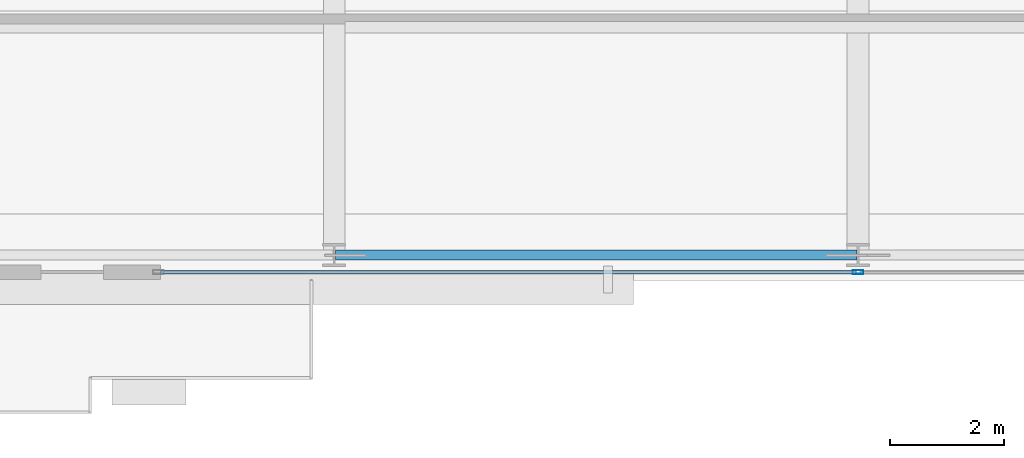
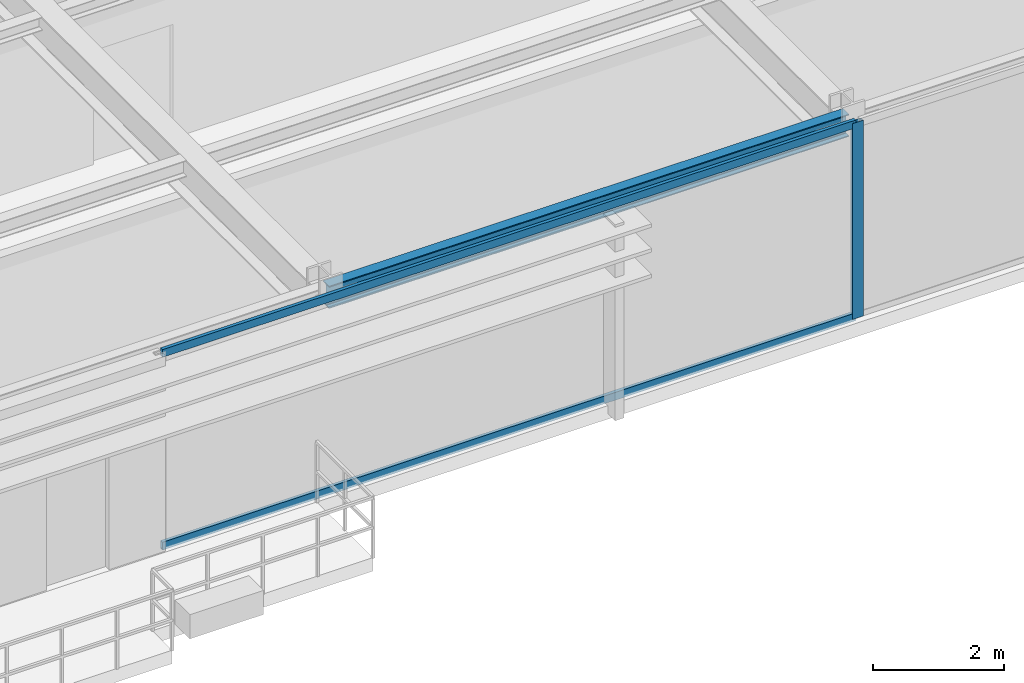
# One storey, part 6 of 31: 3 members, 1 beam, 1 element without a shape of its own.
"""IFC4 building model written with IfcOpenShell, lengths in metres."""

from ifc_helpers import new_model, si_unit, direction, frame, origin, origin_2d, place, context, subcontext, project, spatial, hollow_rectangle, i_section, extrude, source, transform, mapped, material, layer, layer_set, material_profile, profile_set, type_object, type_shapes, element, aggregate, save


model = new_model("IFC4")

# Units and contexts
model_context = context("Model", 3, precision=1e-05, world=origin(), true_north=direction((0.0, 1.0)))
body_context = subcontext(model_context, "Body", "Model", "MODEL_VIEW")
ifc_project = project(units=[si_unit("LENGTHUNIT", "METRE"), si_unit("AREAUNIT", "SQUARE_METRE"), si_unit("VOLUMEUNIT", "CUBIC_METRE"), si_unit("PLANEANGLEUNIT", "RADIAN"), si_unit("MASSUNIT", "GRAM", prefix="KILO")], contexts=[model_context])

# Site, building, storey
site_placement = place(None, origin())
site = spatial("IfcSite", under=ifc_project, at=site_placement, CompositionType="ELEMENT")
building_placement = place(site_placement, origin())
building = spatial("IfcBuilding", under=site, at=building_placement, Name="Varnel Quay Broadcast Tower", CompositionType="ELEMENT")
storey_placement = place(building_placement, frame((0.0, 0.0, 39.300048828125)))
storey = spatial("IfcBuildingStorey", under=building, at=storey_placement, Name="L08", CompositionType="ELEMENT", Elevation=39.300048828125)

# Beam
ifc_material_1 = material(Name="Structural Steel CSA G40.21 350W", Category="steel")
ifc_material_profile_1 = material_profile(ifc_material_1, i_section(OverallWidth=0.180908203125, OverallDepth=0.4169921875, WebThickness=0.010986328125, FlangeThickness=0.018310546875, FilletRadius=0.011962890625, at=origin_2d()), Name="W410X85")
ifc_profile_set_1 = profile_set([ifc_material_profile_1], Name="Structural Steel CSA G40.21 350W")
beam_type = type_object("IfcBeamType", Name="Beam_W410X85", PredefinedType="SPANDREL", material=ifc_profile_set_1)
shared_shape_1 = source(origin(), body_context, "Body", "SweptSolid", [
    extrude(i_section(OverallWidth=0.180908203125, OverallDepth=0.4169921875, WebThickness=0.010986328125, FlangeThickness=0.018310546875, FilletRadius=0.011962890625, at=origin_2d()), origin(), (0.0, 0.0, 1.0), 9.159912109375),
])
type_shapes(beam_type, [shared_shape_1])
beam_placement = place(storey_placement, frame((24.820068359375, 1.64990234375, 3.44140625), z_axis=(1.0, 0.0, 0.0), x_axis=(0.0, 1.0, 0.0)))
element("IfcBeam", 1, at=beam_placement, inside=storey, type_object=beam_type, Name="L08 South Spandrel TC-S2-TC-S3", PredefinedType="SPANDREL", context=body_context, shape_type="MappedRepresentation", body=[
    mapped(shared_shape_1, transform((0.0, 0.0, 0.0), x_axis=(1.0, 0.0, 0.0), y_axis=(0.0, 1.0, 0.0), z_axis=(0.0, 0.0, 1.0), scale=1.0)),
])

# Curtain wall, members
ifc_material_2 = material(Name="Anodised Bronze Aluminium 6063-T6", Category="aluminium")
ifc_layer = layer(ifc_material_2, 0.18994140625, Name="Anodised Bronze Aluminium 6063-T6")
ifc_layer_set = layer_set([ifc_layer], Name="Anodised Bronze Aluminium 6063-T6")
curtain_wall_type = type_object("IfcCurtainWallType", Name="CW_LowerTower", PredefinedType="NOTDEFINED", material=ifc_layer_set)
curtain_wall_placement = place(storey_placement, origin())
curtain_wall = element("IfcCurtainWall", 2, at=curtain_wall_placement, inside=storey, type_object=curtain_wall_type, Name="L08 South Unitised Curtain Wall 2", PredefinedType="NOTDEFINED")
ifc_material_profile_2 = material_profile(ifc_material_2, hollow_rectangle(XDim=0.070068359375, YDim=0.18994140625, WallThickness=0.00390625, at=origin_2d()), Name="ALU70X190X4")
ifc_profile_set_2 = profile_set([ifc_material_profile_2], Name="Anodised Bronze Aluminium 6063-T6")
member_type_1 = type_object("IfcMemberType", Name="Mull_CWS-02", PredefinedType="MULLION", material=ifc_profile_set_2)
shared_shape_2 = source(origin(), body_context, "Body", "SweptSolid", [
    extrude(hollow_rectangle(XDim=0.070068359375, YDim=0.18994140625, WallThickness=0.00390625, at=origin_2d()), origin(), (0.0, 0.0, 1.0), 3.64990234375),
])
type_shapes(member_type_1, [shared_shape_2])
member_1_placement = place(storey_placement, frame((34.0, 1.35009765625, 0.0), z_axis=(0.0, 0.0, 1.0), x_axis=(0.0, 1.0, 0.0)))
member_1 = element("IfcMember", 3, at=member_1_placement, type_object=member_type_1, Name="CWS-02 mullion 2", PredefinedType="MULLION", context=body_context, shape_type="MappedRepresentation", body=[
    mapped(shared_shape_2, transform((0.0, 0.0, 0.0), x_axis=(1.0, 0.0, 0.0), y_axis=(0.0, 1.0, 0.0), z_axis=(0.0, 0.0, 1.0), scale=1.0)),
])
ifc_material_profile_3 = material_profile(ifc_material_2, hollow_rectangle(XDim=0.06005859375, YDim=0.14501953125, WallThickness=0.00341796875, at=origin_2d()), Name="ALU60X145X3.5")
ifc_profile_set_3 = profile_set([ifc_material_profile_3], Name="Anodised Bronze Aluminium 6063-T6")
member_type_2 = type_object("IfcMemberType", Name="Tran_CWS-02", PredefinedType="USERDEFINED", material=ifc_profile_set_3)
shared_shape_3 = source(origin(), body_context, "Body", "SweptSolid", [
    extrude(hollow_rectangle(XDim=0.06005859375, YDim=0.14501953125, WallThickness=0.00341796875, at=origin_2d()), origin(), (0.0, 0.0, 1.0), 12.215087890625),
])
type_shapes(member_type_2, [shared_shape_3])
member_2_placement = place(storey_placement, frame((21.75, 1.35009765625, 0.030029296875), z_axis=(1.0, 0.0, 0.0), x_axis=(0.0, 1.0, 0.0)))
member_2 = element("IfcMember", 4, at=member_2_placement, type_object=member_type_2, Name="CWS-02 transom 1.1", ObjectType="TRANSOM", PredefinedType="USERDEFINED", context=body_context, shape_type="MappedRepresentation", body=[
    mapped(shared_shape_3, transform((0.0, 0.0, 0.0), x_axis=(1.0, 0.0, 0.0), y_axis=(0.0, 1.0, 0.0), z_axis=(0.0, 0.0, 1.0), scale=1.0)),
])
member_3_placement = place(storey_placement, frame((21.75, 1.35009765625, 3.619873046875), z_axis=(1.0, 0.0, 0.0), x_axis=(0.0, 1.0, 0.0)))
member_3 = element("IfcMember", 5, at=member_3_placement, type_object=member_type_2, Name="CWS-02 transom 1.2", ObjectType="TRANSOM", PredefinedType="USERDEFINED", context=body_context, shape_type="MappedRepresentation", body=[
    mapped(shared_shape_3, transform((0.0, 0.0, 0.0), x_axis=(1.0, 0.0, 0.0), y_axis=(0.0, 1.0, 0.0), z_axis=(0.0, 0.0, 1.0), scale=1.0)),
])
aggregate(curtain_wall, [member_1, member_2, member_3])

save(model, "model.ifc")
